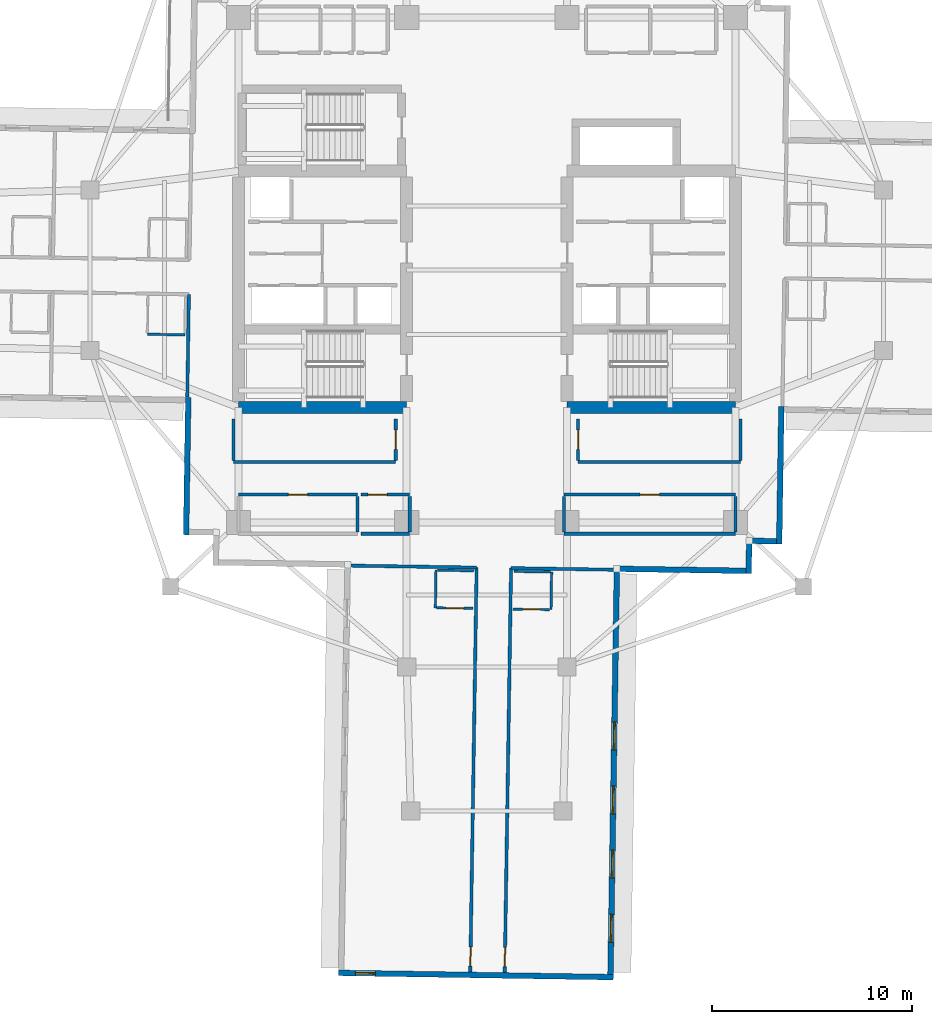
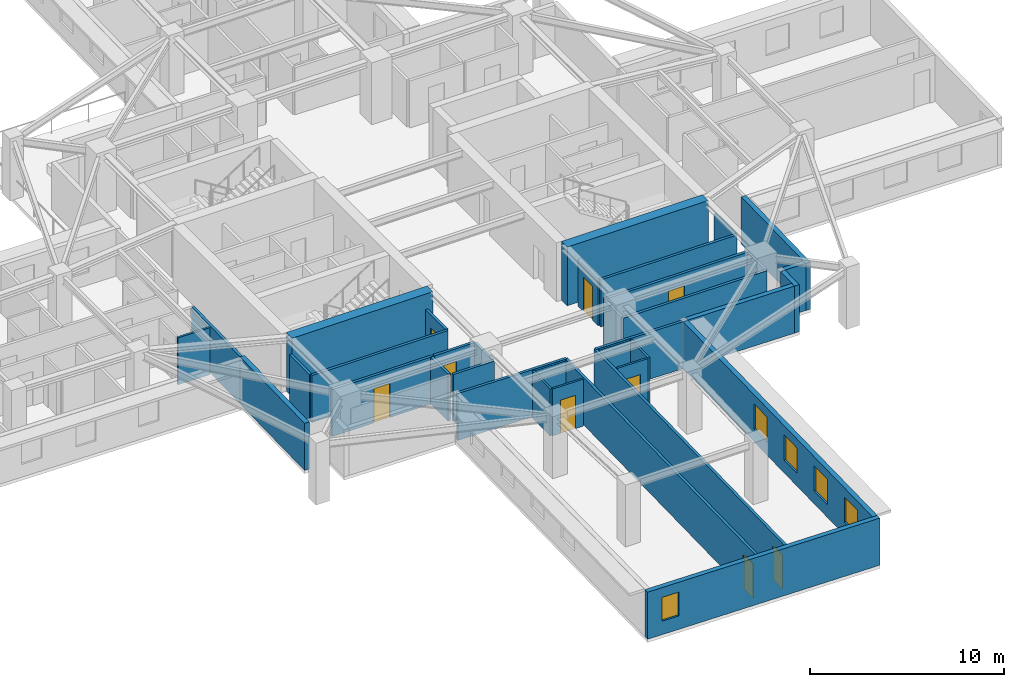
# One storey, part 3 of 13: 36 walls, 9 doors, 5 windows, 14 openings.
"""IFC4 building model written with IfcOpenShell, lengths in metres."""

import ifcopenshell
import ifcopenshell.guid

model = None  # the IFC model being written
_history = None  # IfcOwnerHistory: only IFC2X3 demands one
_inside = {}  # id of a spatial element -> (the spatial element, [elements in it])
_under = {}  # id of a project, library or spatial element -> (it, [spatial elements below it])
_declared = {}  # id of a project -> (the project, [libraries it declares])
_typed = {}  # id of a type object -> (the type object, [elements of that type])
_made_of = {}  # id of a material, layer set ... -> (it, [elements and type objects made of it])


def new_model(schema):
    """Start an empty IFC model of exactly this schema.

    Asked for "IFC4X3", IfcOpenShell would pick the latest addendum, in which some entities
    have other attributes; the version numbers below select the first issue.
    IFC2X3 requires an IfcOwnerHistory on every rooted entity: one is made here for all.
    """
    global model, _history
    if schema == "IFC4X3":
        model = ifcopenshell.file(schema_version=(4, 3, 0, 0))
    else:
        model = ifcopenshell.file(schema=schema)
    _inside.clear()
    _under.clear()
    _declared.clear()
    _typed.clear()
    _made_of.clear()
    _history = None
    if model.schema == "IFC2X3":
        org = make("IfcOrganization", Name="unknown")
        user = make(
            "IfcPersonAndOrganization",
            ThePerson=make("IfcPerson", FamilyName="unknown"),
            TheOrganization=org,
        )
        app = make(
            "IfcApplication",
            ApplicationDeveloper=org,
            Version="unknown",
            ApplicationFullName="unknown",
            ApplicationIdentifier="unknown",
        )
        _history = make(
            "IfcOwnerHistory",
            OwningUser=user,
            OwningApplication=app,
            ChangeAction="ADDED",
            CreationDate=0,
        )
    return model


def make(cls, **values):
    """One entity of the class cls with the attributes given. An attribute that is None is left unset."""
    return model.create_entity(
        cls, **{name: value for name, value in values.items() if value is not None}
    )


def rooted(cls, **values):
    """An entity with a GlobalId (a new one), such as an element, a storey or a relation."""
    return make(cls, GlobalId=ifcopenshell.guid.new(), OwnerHistory=_history, **values)


def si_unit(unit_type, name, prefix=None):
    """IfcSIUnit, for example si_unit("LENGTHUNIT", "METRE", prefix="MILLI")."""
    return make("IfcSIUnit", UnitType=unit_type, Prefix=prefix, Name=name)


def assignment(units):
    """IfcUnitAssignment: the units of a project."""
    return None if units is None else make("IfcUnitAssignment", Units=units)


def point(xyz):
    """IfcCartesianPoint."""
    return None if xyz is None else make("IfcCartesianPoint", Coordinates=xyz)


def direction(xyz):
    """IfcDirection."""
    return None if xyz is None else make("IfcDirection", DirectionRatios=xyz)


def frame(location, z_axis=None, x_axis=None):
    """IfcAxis2Placement3D, a coordinate frame: its origin and axes. An axis left out is left unset."""
    return make(
        "IfcAxis2Placement3D",
        Location=point(location),
        Axis=direction(z_axis),
        RefDirection=direction(x_axis),
    )


def frame_2d(location, x_axis=None):
    """IfcAxis2Placement2D, a coordinate frame in the plane: its origin and x axis."""
    return make(
        "IfcAxis2Placement2D", Location=point(location), RefDirection=direction(x_axis)
    )


def origin():
    """The frame at (0, 0, 0) with its axes left unset."""
    return frame((0.0, 0.0, 0.0))


def place(relative_to, where):
    """IfcLocalPlacement: puts the frame where relative to a parent placement (None: the world)."""
    return make(
        "IfcLocalPlacement", PlacementRelTo=relative_to, RelativePlacement=where
    )


def context(
    kind, dimensions, precision=None, world=None, true_north=None, identifier=None
):
    """IfcGeometricRepresentationContext, for example the 3D "Model" context."""
    return make(
        "IfcGeometricRepresentationContext",
        ContextIdentifier=identifier,
        ContextType=kind,
        CoordinateSpaceDimension=dimensions,
        Precision=precision,
        WorldCoordinateSystem=world,
        TrueNorth=true_north,
    )


def subcontext(parent, identifier, kind, view, scale=None):
    """IfcGeometricRepresentationSubContext, for example "Body" below "Model"."""
    return make(
        "IfcGeometricRepresentationSubContext",
        ContextIdentifier=identifier,
        ContextType=kind,
        ParentContext=parent,
        TargetScale=scale,
        TargetView=view,
    )


def project(units=None, contexts=None):
    """IfcProject with its units and contexts."""
    return rooted(
        "IfcProject",
        Name="project",
        RepresentationContexts=contexts,
        UnitsInContext=assignment(units),
    )


def spatial(cls, under=None, at=None, **own):
    """A site, building, storey or space (cls), placed at a placement, below another one or the project."""
    s = rooted(cls, ObjectPlacement=at, **own)
    if under is not None:
        _under.setdefault(under.id(), (under, []))[1].append(s)
    return s


def profile(cls, at=None, kind="AREA", **sizes):
    """A parametric profile (cls). Its sizes go by their IFC names, for example OverallWidth=200.0."""
    return make(cls, ProfileType=kind, Position=at, **sizes)


def rectangle(**sizes):
    """IfcRectangleProfileDef."""
    return profile("IfcRectangleProfileDef", **sizes)


def extrude(swept, where, along, depth):
    """IfcExtrudedAreaSolid: the profile swept, set in the frame where, extruded along a direction by depth."""
    return make(
        "IfcExtrudedAreaSolid",
        SweptArea=swept,
        Position=where,
        ExtrudedDirection=direction(along),
        Depth=depth,
    )


def shape(context_of_items, identifier, shape_type, items):
    """IfcShapeRepresentation: the items that make up one representation, for example the "Body"."""
    return make(
        "IfcShapeRepresentation",
        ContextOfItems=context_of_items,
        RepresentationIdentifier=identifier,
        RepresentationType=shape_type,
        Items=items,
    )


def material(Name=None, Category=None):
    """IfcMaterial."""
    return make("IfcMaterial", Name=Name, Category=Category)


def layer(
    of_material, thickness, ventilated=None, Name=None, Category=None, Priority=None
):
    """IfcMaterialLayer: one layer of a wall or slab, of a material (None: an air gap)."""
    return make(
        "IfcMaterialLayer",
        Material=of_material,
        LayerThickness=thickness,
        IsVentilated=ventilated,
        Name=Name,
        Category=Category,
        Priority=Priority,
    )


def layer_set(layers, Name=None):
    """IfcMaterialLayerSet."""
    return make("IfcMaterialLayerSet", MaterialLayers=layers, LayerSetName=Name)


def made_of(thing, what):
    """Note that an element or type object is made of a material, layer set ...; save() writes the relation."""
    if what is not None:
        _made_of.setdefault(what.id(), (what, []))[1].append(thing)
    return thing


def type_object(cls, material=None, **own):
    """A type object (cls), such as IfcWallType, which elements share."""
    return made_of(rooted(cls, **own), material)


def element(
    cls,
    number,
    at=None,
    inside=None,
    cuts=None,
    type_object=None,
    material=None,
    context=None,
    identifier="Body",
    shape_type=None,
    held_by="IfcProductDefinitionShape",
    body=None,
    shapes=None,
    **own,
):
    """One element of the class cls, such as IfcWall. Its Tag is "e" and its number.

    at: its placement. inside: the storey or other place that contains it. cuts: it is an
    opening in that element (IfcRelVoidsElement). A single representation is given by context,
    identifier, shape_type and body (its items); several are given by shapes. held_by: the class
    of the entity that holds the representations. save() writes the other relations.
    """
    e = rooted(cls, Tag="e%d" % number, ObjectPlacement=at, **own)
    if body is not None:
        shapes = [shape(context, identifier, shape_type, body)]
    if shapes is not None:
        e.Representation = make(held_by, Representations=shapes)
    if inside is not None:
        _inside.setdefault(inside.id(), (inside, []))[1].append(e)
    if cuts is not None:
        rooted(
            "IfcRelVoidsElement", RelatingBuildingElement=cuts, RelatedOpeningElement=e
        )
    if type_object is not None:
        _typed.setdefault(type_object.id(), (type_object, []))[1].append(e)
    return made_of(e, material)


def fill(opening, filler):
    """IfcRelFillsElement: the door or window that sits in an opening."""
    return rooted(
        "IfcRelFillsElement",
        RelatingOpeningElement=opening,
        RelatedBuildingElement=filler,
    )


def aggregate(whole, parts):
    """IfcRelAggregates: a whole, such as a stair, and the parts it consists of."""
    return rooted("IfcRelAggregates", RelatingObject=whole, RelatedObjects=parts)


def save(model, path):
    """Write the relations noted so far, then the file.

    IfcRelAggregates (storeys below a building ...), IfcRelContainedInSpatialStructure (elements
    in a storey), IfcRelDefinesByType, IfcRelAssociatesMaterial and IfcRelDeclares: one each for
    every whole, place, type object, material and project.
    """
    for whole, parts in _under.values():
        aggregate(whole, parts)
    for where, things in _inside.values():
        rooted(
            "IfcRelContainedInSpatialStructure",
            RelatedElements=things,
            RelatingStructure=where,
        )
    for kind, things in _typed.values():
        rooted("IfcRelDefinesByType", RelatedObjects=things, RelatingType=kind)
    for what, things in _made_of.values():
        rooted("IfcRelAssociatesMaterial", RelatedObjects=things, RelatingMaterial=what)
    for by, libraries in _declared.values():
        rooted("IfcRelDeclares", RelatingContext=by, RelatedDefinitions=libraries)
    model.write(path)


model = new_model("IFC4")

# Units and contexts
model_context = context("Model", 3, precision=1e-05, world=origin(), true_north=direction((0.0, 1.0)))
body_context = subcontext(model_context, "Body", "Model", "MODEL_VIEW")
ifc_project = project(units=[si_unit("LENGTHUNIT", "METRE"), si_unit("AREAUNIT", "SQUARE_METRE"), si_unit("VOLUMEUNIT", "CUBIC_METRE"), si_unit("PLANEANGLEUNIT", "RADIAN"), si_unit("MASSUNIT", "GRAM", prefix="KILO")], contexts=[model_context])

# Site, building, storey
site_placement = place(None, origin())
site = spatial("IfcSite", under=ifc_project, at=site_placement, CompositionType="ELEMENT")
building_placement = place(site_placement, origin())
building = spatial("IfcBuilding", under=site, at=building_placement, Name="Qingluan Cross Belvedere", CompositionType="ELEMENT")
storey_placement = place(building_placement, frame((0.0, 0.0, 148.800048828125)))
storey = spatial("IfcBuildingStorey", under=building, at=storey_placement, Name="L37", CompositionType="ELEMENT", Elevation=148.800048828125)

# Walls
ifc_material_1 = material(Name="Concrete C60", Category="concrete")
ifc_layer_1 = layer(ifc_material_1, 0.60009765625, Name="CoreShearWall_600")
ifc_layer_set_1 = layer_set([ifc_layer_1], Name="Concrete C60")
wall_type_1 = type_object("IfcWallType", Name="CoreShearWall_600", PredefinedType="SHEAR", material=ifc_layer_set_1)
for number, where, z_axis, x_axis, name in (
    (1, (-12.39990234375, -6.85009765625, 0.0), (0.0, 0.0, 1.0), (1.0, 0.0, 0.0), "Split core W shear wall L37-S"),
    (2, (4.0, -6.85009765625, 0.0), (0.0, 0.0, 1.0), (1.0, 0.0, 0.0), "Split core E shear wall L37-S"),
):
    element("IfcWall", number, at=place(storey_placement, frame(where, z_axis=z_axis, x_axis=x_axis)), inside=storey, type_object=wall_type_1, Name=name, PredefinedType="SHEAR", context=body_context, shape_type="SweptSolid", body=[
        extrude(rectangle(XDim=8.39990234375, YDim=0.60009765625, at=frame_2d((4.199951171875, 0.0))), origin(), (0.0, 0.0, 1.0), 3.699951171875),
    ])

# Wall, opening, door
ifc_material_2 = material(Name="Gypsum plasterboard on steel stud acoustic partition", Category="steel")
ifc_layer_2 = layer(ifc_material_2, 0.159912109375, Name="CorridorPartition_160")
ifc_layer_set_2 = layer_set([ifc_layer_2], Name="Gypsum plasterboard on steel stud acoustic partition")
wall_type_2 = type_object("IfcWallType", Name="CorridorPartition_160", PredefinedType="PARTITIONING", material=ifc_layer_set_2)
wall_1_placement = place(storey_placement, frame((-12.39990234375, -11.199951171875, 0.0), z_axis=(0.0, 0.0, 1.0), x_axis=(1.0, 0.0, 0.0)))
wall_1 = element("IfcWall", 3, at=wall_1_placement, inside=storey, type_object=wall_type_2, Name="Partition L37:q_sw1:N", PredefinedType="PARTITIONING", context=body_context, shape_type="SweptSolid", body=[
    extrude(rectangle(XDim=5.949951171875, YDim=0.159912109375, at=frame_2d((2.97509765625, 0.0))), origin(), (0.0, 0.0, 1.0), 2.9599609375),
])
opening_1_placement = place(wall_1_placement, frame((2.4951171875, 0.0, 0.0)))
opening_1 = element("IfcOpeningElement", 4, at=opening_1_placement, cuts=wall_1, Name="Opening GD-10", PredefinedType="OPENING", context=body_context, shape_type="SweptSolid", body=[
    extrude(rectangle(XDim=0.9599609375, YDim=2.14990234375, at=frame_2d((0.47998046875, 1.074951171875))), frame((0.0, 0.08984375, 0.0), z_axis=(0.0, -1.0, 0.0), x_axis=(1.0, 0.0, 0.0)), (0.0, 0.0, 1.0), 0.179931640625),
])
ifc_material_3 = material(Name="Timber oak fire-rated acoustic guestroom door", Category="wood")
door_type_1 = type_object("IfcDoorType", Name="GuestEntryDoor_FD60", OperationType="NOTDEFINED", PredefinedType="DOOR", material=ifc_material_3)
door_1_placement = place(opening_1_placement, origin())
door_1 = element("IfcDoor", 5, at=door_1_placement, inside=storey, type_object=door_type_1, Name="Quiet coworking office L37 door", OperationType="SINGLE_SWING_LEFT", OverallHeight=2.14990234375, OverallWidth=0.9599609375, PredefinedType="DOOR", context=body_context, shape_type="SweptSolid", body=[
    extrude(rectangle(XDim=0.9599609375, YDim=2.14990234375, at=frame_2d((0.47998046875, 1.074951171875))), frame((0.0, 0.02490234375, 0.0), z_axis=(0.0, -1.0, 0.0), x_axis=(1.0, 0.0, 0.0)), (0.0, 0.0, 1.0), 0.050048828125),
])
fill(opening_1, door_1)

# Walls
wall_2_placement = place(storey_placement, frame((-6.449951171875, -13.06494140625, 0.0), z_axis=(0.0, 0.0, 1.0), x_axis=(0.0, 1.0, 0.0)))
element("IfcWall", 6, at=wall_2_placement, inside=storey, type_object=wall_type_2, Name="Partition L37:q_sw1:E", PredefinedType="PARTITIONING", context=body_context, shape_type="SweptSolid", body=[
    extrude(rectangle(XDim=1.780029296875, YDim=0.159912109375, at=frame_2d((0.89013671875, 0.0))), origin(), (0.0, 0.0, 1.0), 2.9599609375),
])
wall_3_placement = place(storey_placement, frame((-6.2900390625, -13.14990234375, 0.0), z_axis=(0.0, 0.0, 1.0), x_axis=(1.0, 0.0, 0.0)))
element("IfcWall", 7, at=wall_3_placement, inside=storey, type_object=wall_type_2, Name="Partition L37:q_sw2:S", PredefinedType="PARTITIONING", context=body_context, shape_type="SweptSolid", body=[
    extrude(rectangle(XDim=2.43994140625, YDim=0.159912109375, at=frame_2d((1.219970703125, 0.0))), origin(), (0.0, 0.0, 1.0), 2.9599609375),
])

# Wall, opening, door
wall_4_placement = place(storey_placement, frame((-6.2900390625, -11.199951171875, 0.0), z_axis=(0.0, 0.0, 1.0), x_axis=(1.0, 0.0, 0.0)))
wall_4 = element("IfcWall", 8, at=wall_4_placement, inside=storey, type_object=wall_type_2, Name="Partition L37:q_sw2:N", PredefinedType="PARTITIONING", context=body_context, shape_type="SweptSolid", body=[
    extrude(rectangle(XDim=2.43994140625, YDim=0.159912109375, at=frame_2d((1.219970703125, 0.0))), origin(), (0.0, 0.0, 1.0), 2.9599609375),
])
opening_2_placement = place(wall_4_placement, frame((0.35009765625, 0.0, 0.0)))
opening_2 = element("IfcOpeningElement", 9, at=opening_2_placement, cuts=wall_4, Name="Opening GD-10", PredefinedType="OPENING", context=body_context, shape_type="SweptSolid", body=[
    extrude(rectangle(XDim=0.9599609375, YDim=2.14990234375, at=frame_2d((0.47998046875, 1.074951171875))), frame((0.0, 0.08984375, 0.0), z_axis=(0.0, -1.0, 0.0), x_axis=(1.0, 0.0, 0.0)), (0.0, 0.0, 1.0), 0.179931640625),
])
door_2_placement = place(opening_2_placement, origin())
door_2 = element("IfcDoor", 10, at=door_2_placement, inside=storey, type_object=door_type_1, Name="Southwest reading room L37 door", OperationType="SINGLE_SWING_RIGHT", OverallHeight=2.14990234375, OverallWidth=0.9599609375, PredefinedType="DOOR", context=body_context, shape_type="SweptSolid", body=[
    extrude(rectangle(XDim=0.9599609375, YDim=2.14990234375, at=frame_2d((0.47998046875, 1.074951171875))), frame((0.0, 0.02490234375, 0.0), z_axis=(0.0, -1.0, 0.0), x_axis=(1.0, 0.0, 0.0)), (0.0, 0.0, 1.0), 0.050048828125),
])
fill(opening_2, door_2)

# Walls
wall_5_placement = place(storey_placement, frame((-3.85009765625, -13.06494140625, 0.0), z_axis=(0.0, 0.0, 1.0), x_axis=(0.0, 1.0, 0.0)))
element("IfcWall", 11, at=wall_5_placement, inside=storey, type_object=wall_type_2, Name="Partition L37:q_sw2:E", PredefinedType="PARTITIONING", context=body_context, shape_type="SweptSolid", body=[
    extrude(rectangle(XDim=1.780029296875, YDim=0.159912109375, at=frame_2d((0.89013671875, 0.0))), origin(), (0.0, 0.0, 1.0), 2.9599609375),
])
wall_6_placement = place(storey_placement, frame((3.85009765625, -13.14990234375, 0.0), z_axis=(0.0, 0.0, 1.0), x_axis=(1.0, 0.0, 0.0)))
element("IfcWall", 12, at=wall_6_placement, inside=storey, type_object=wall_type_2, Name="Partition L37:q_se:S", PredefinedType="PARTITIONING", context=body_context, shape_type="SweptSolid", body=[
    extrude(rectangle(XDim=8.5498046875, YDim=0.159912109375, at=frame_2d((4.27490234375, 0.0))), origin(), (0.0, 0.0, 1.0), 2.9599609375),
])

# Wall, opening, door
wall_7_placement = place(storey_placement, frame((3.85009765625, -11.199951171875, 0.0), z_axis=(0.0, 0.0, 1.0), x_axis=(1.0, 0.0, 0.0)))
wall_7 = element("IfcWall", 13, at=wall_7_placement, inside=storey, type_object=wall_type_2, Name="Partition L37:q_se:N", PredefinedType="PARTITIONING", context=body_context, shape_type="SweptSolid", body=[
    extrude(rectangle(XDim=8.5498046875, YDim=0.159912109375, at=frame_2d((4.27490234375, 0.0))), origin(), (0.0, 0.0, 1.0), 2.9599609375),
])
opening_3_placement = place(wall_7_placement, frame((3.794921875, 0.0, 0.0)))
opening_3 = element("IfcOpeningElement", 14, at=opening_3_placement, cuts=wall_7, Name="Opening GD-10", PredefinedType="OPENING", context=body_context, shape_type="SweptSolid", body=[
    extrude(rectangle(XDim=0.9599609375, YDim=2.14990234375, at=frame_2d((0.47998046875, 1.074951171875))), frame((0.0, 0.08984375, 0.0), z_axis=(0.0, -1.0, 0.0), x_axis=(1.0, 0.0, 0.0)), (0.0, 0.0, 1.0), 0.179931640625),
])
door_3_placement = place(opening_3_placement, origin())
door_3 = element("IfcDoor", 15, at=door_3_placement, inside=storey, type_object=door_type_1, Name="Espresso servery pantry L37 door", OperationType="SINGLE_SWING_LEFT", OverallHeight=2.14990234375, OverallWidth=0.9599609375, PredefinedType="DOOR", context=body_context, shape_type="SweptSolid", body=[
    extrude(rectangle(XDim=0.9599609375, YDim=2.14990234375, at=frame_2d((0.47998046875, 1.074951171875))), frame((0.0, 0.02490234375, 0.0), z_axis=(0.0, -1.0, 0.0), x_axis=(1.0, 0.0, 0.0)), (0.0, 0.0, 1.0), 0.050048828125),
])
fill(opening_3, door_3)

# Walls
for number, where, z_axis, x_axis, name in (
    (16, (3.85009765625, -13.06494140625, 0.0), (0.0, 0.0, 1.0), (0.0, 1.0, 0.0), "Partition L37:q_se:W"),
    (17, (12.39990234375, -13.06494140625, 0.0), (0.0, 0.0, 1.0), (0.0, 1.0, 0.0), "Partition L37:q_se:E"),
):
    element("IfcWall", number, at=place(storey_placement, frame(where, z_axis=z_axis, x_axis=x_axis)), inside=storey, type_object=wall_type_2, Name=name, PredefinedType="PARTITIONING", context=body_context, shape_type="SweptSolid", body=[
        extrude(rectangle(XDim=1.780029296875, YDim=0.159912109375, at=frame_2d((0.89013671875, 0.0))), origin(), (0.0, 0.0, 1.0), 2.9599609375),
    ])
wall_8_placement = place(storey_placement, frame((4.550048828125, -9.580078125, 0.0), z_axis=(0.0, 0.0, 1.0), x_axis=(1.0, 0.0, 0.0)))
element("IfcWall", 18, at=wall_8_placement, inside=storey, type_object=wall_type_2, Name="Partition L37:rec_st4:S", PredefinedType="PARTITIONING", context=body_context, shape_type="SweptSolid", body=[
    extrude(rectangle(XDim=8.099853515625, YDim=0.159912109375, at=frame_2d((4.0498046875, 0.0))), origin(), (0.0, 0.0, 1.0), 2.9599609375),
])

# Wall, opening, door
wall_9_placement = place(storey_placement, frame((4.550048828125, -9.4951171875, 0.0), z_axis=(0.0, 0.0, 1.0), x_axis=(0.0, 1.0, 0.0)))
wall_9 = element("IfcWall", 19, at=wall_9_placement, inside=storey, type_object=wall_type_2, Name="Partition L37:rec_st4:W", PredefinedType="PARTITIONING", context=body_context, shape_type="SweptSolid", body=[
    extrude(rectangle(XDim=2.06005859375, YDim=0.159912109375, at=frame_2d((1.030029296875, 0.0))), origin(), (0.0, 0.0, 1.0), 2.9599609375),
])
opening_4_placement = place(wall_9_placement, frame((0.550048828125, 0.0, 0.0)))
opening_4 = element("IfcOpeningElement", 20, at=opening_4_placement, cuts=wall_9, Name="Opening GD-10", PredefinedType="OPENING", context=body_context, shape_type="SweptSolid", body=[
    extrude(rectangle(XDim=0.9599609375, YDim=2.14990234375, at=frame_2d((0.47998046875, 1.074951171875))), frame((0.0, 0.08984375, 0.0), z_axis=(0.0, -1.0, 0.0), x_axis=(1.0, 0.0, 0.0)), (0.0, 0.0, 1.0), 0.179931640625),
])
door_4_placement = place(opening_4_placement, origin())
door_4 = element("IfcDoor", 21, at=door_4_placement, inside=storey, type_object=door_type_1, Name="Southeast club library room L37 door", OperationType="SINGLE_SWING_RIGHT", OverallHeight=2.14990234375, OverallWidth=0.9599609375, PredefinedType="DOOR", context=body_context, shape_type="SweptSolid", body=[
    extrude(rectangle(XDim=0.9599609375, YDim=2.14990234375, at=frame_2d((0.47998046875, 1.074951171875))), frame((0.0, 0.02490234375, 0.0), z_axis=(0.0, -1.0, 0.0), x_axis=(1.0, 0.0, 0.0)), (0.0, 0.0, 1.0), 0.050048828125),
])
fill(opening_4, door_4)

# Walls
wall_10_placement = place(storey_placement, frame((12.64990234375, -9.4951171875, 0.0), z_axis=(0.0, 0.0, 1.0), x_axis=(0.0, 1.0, 0.0)))
element("IfcWall", 22, at=wall_10_placement, inside=storey, type_object=wall_type_2, Name="Partition L37:rec_st4:E", PredefinedType="PARTITIONING", context=body_context, shape_type="SweptSolid", body=[
    extrude(rectangle(XDim=2.06005859375, YDim=0.159912109375, at=frame_2d((1.030029296875, 0.0))), origin(), (0.0, 0.0, 1.0), 2.9599609375),
])
wall_11_placement = place(storey_placement, frame((-12.64990234375, -9.580078125, 0.0), z_axis=(0.0, 0.0, 1.0), x_axis=(1.0, 0.0, 0.0)))
element("IfcWall", 23, at=wall_11_placement, inside=storey, type_object=wall_type_2, Name="Partition L37:rec_st4_w:S", PredefinedType="PARTITIONING", context=body_context, shape_type="SweptSolid", body=[
    extrude(rectangle(XDim=8.099853515625, YDim=0.159912109375, at=frame_2d((4.0498046875, 0.0))), origin(), (0.0, 0.0, 1.0), 2.9599609375),
])
wall_12_placement = place(storey_placement, frame((-12.64990234375, -9.4951171875, 0.0), z_axis=(0.0, 0.0, 1.0), x_axis=(0.0, 1.0, 0.0)))
element("IfcWall", 24, at=wall_12_placement, inside=storey, type_object=wall_type_2, Name="Partition L37:rec_st4_w:W", PredefinedType="PARTITIONING", context=body_context, shape_type="SweptSolid", body=[
    extrude(rectangle(XDim=2.06005859375, YDim=0.159912109375, at=frame_2d((1.030029296875, 0.0))), origin(), (0.0, 0.0, 1.0), 2.9599609375),
])

# Wall, opening, door
wall_13_placement = place(storey_placement, frame((-4.550048828125, -9.4951171875, 0.0), z_axis=(0.0, 0.0, 1.0), x_axis=(0.0, 1.0, 0.0)))
wall_13 = element("IfcWall", 25, at=wall_13_placement, inside=storey, type_object=wall_type_2, Name="Partition L37:rec_st4_w:E", PredefinedType="PARTITIONING", context=body_context, shape_type="SweptSolid", body=[
    extrude(rectangle(XDim=2.06005859375, YDim=0.159912109375, at=frame_2d((1.030029296875, 0.0))), origin(), (0.0, 0.0, 1.0), 2.9599609375),
])
opening_5_placement = place(wall_13_placement, frame((0.550048828125, 0.0, 0.0)))
opening_5 = element("IfcOpeningElement", 26, at=opening_5_placement, cuts=wall_13, Name="Opening GD-10", PredefinedType="OPENING", context=body_context, shape_type="SweptSolid", body=[
    extrude(rectangle(XDim=0.9599609375, YDim=2.14990234375, at=frame_2d((0.47998046875, 1.074951171875))), frame((0.0, 0.08984375, 0.0), z_axis=(0.0, -1.0, 0.0), x_axis=(1.0, 0.0, 0.0)), (0.0, 0.0, 1.0), 0.179931640625),
])
door_5_placement = place(opening_5_placement, origin())
door_5 = element("IfcDoor", 27, at=door_5_placement, inside=storey, type_object=door_type_1, Name="Southwest club reading room L37 door", OperationType="SINGLE_SWING_LEFT", OverallHeight=2.14990234375, OverallWidth=0.9599609375, PredefinedType="DOOR", context=body_context, shape_type="SweptSolid", body=[
    extrude(rectangle(XDim=0.9599609375, YDim=2.14990234375, at=frame_2d((0.47998046875, 1.074951171875))), frame((0.0, 0.02490234375, 0.0), z_axis=(0.0, -1.0, 0.0), x_axis=(1.0, 0.0, 0.0)), (0.0, 0.0, 1.0), 0.050048828125),
])
fill(opening_5, door_5)

# Wall
wall_14_placement = place(storey_placement, frame((-14.870849609375, -1.20654296875, 0.0), z_axis=(0.0, 0.0, 1.0), x_axis=(-0.015698892967, -0.999876764786, 0.0)))
element("IfcWall", 28, at=wall_14_placement, inside=storey, type_object=wall_type_2, Name="Partition L37:W:s1", PredefinedType="PARTITIONING", context=body_context, shape_type="SweptSolid", body=[
    extrude(rectangle(XDim=5.132080078125, YDim=0.159912109375, at=frame_2d((2.56591796875, 0.0))), origin(), (0.0, 0.0, 1.0), 2.9599609375),
])

# Wall, opening, door
wall_15_placement = place(storey_placement, frame((1.20654296875, -14.870849609375, 0.0), z_axis=(0.0, 0.0, 1.0), x_axis=(-0.015713987169, -0.999876527681, 0.0)))
wall_15 = element("IfcWall", 29, at=wall_15_placement, inside=storey, type_object=wall_type_2, Name="Partition L37:S:c0", PredefinedType="PARTITIONING", context=body_context, shape_type="SweptSolid", body=[
    extrude(rectangle(XDim=20.181884765625, YDim=0.159912109375, at=frame_2d((10.0908203125, 0.0))), origin(), (0.0, 0.0, 1.0), 2.9599609375),
])
opening_6_placement = place(wall_15_placement, frame((18.929931640625, 0.0, 0.0)))
opening_6 = element("IfcOpeningElement", 30, at=opening_6_placement, cuts=wall_15, Name="Opening GD-10", PredefinedType="OPENING", context=body_context, shape_type="SweptSolid", body=[
    extrude(rectangle(XDim=0.9599609375, YDim=2.14990234375, at=frame_2d((0.47998046875, 1.074951171875))), frame((0.0, 0.08984375, 0.0), z_axis=(0.0, -1.0, 0.0), x_axis=(1.0, 0.0, 0.0)), (0.0, 0.0, 1.0), 0.179931640625),
])
door_6_placement = place(opening_6_placement, origin())
door_6 = element("IfcDoor", 31, at=door_6_placement, inside=storey, type_object=door_type_1, Name="Guest entry fire door 3713", OperationType="SINGLE_SWING_RIGHT", OverallHeight=2.14990234375, OverallWidth=0.9599609375, PredefinedType="DOOR", context=body_context, shape_type="SweptSolid", body=[
    extrude(rectangle(XDim=0.9599609375, YDim=2.14990234375, at=frame_2d((0.47998046875, 1.074951171875))), frame((0.0, 0.02490234375, 0.0), z_axis=(0.0, -1.0, 0.0), x_axis=(1.0, 0.0, 0.0)), (0.0, 0.0, 1.0), 0.050048828125),
])
fill(opening_6, door_6)

# Wall
wall_16_placement = place(storey_placement, frame((1.20654296875, -14.870849609375, 0.0), z_axis=(0.0, 0.0, 1.0), x_axis=(0.999877138082, -0.015675099418, 0.0)))
element("IfcWall", 32, at=wall_16_placement, inside=storey, type_object=wall_type_2, Name="Partition L37:S:s0", PredefinedType="PARTITIONING", context=body_context, shape_type="SweptSolid", body=[
    extrude(rectangle(XDim=5.280029296875, YDim=0.159912109375, at=frame_2d((2.64013671875, 0.0))), origin(), (0.0, 0.0, 1.0), 2.9599609375),
])

# Wall, opening, door
wall_17_placement = place(storey_placement, frame((-0.51318359375, -14.84375, 0.0), z_axis=(0.0, 0.0, 1.0), x_axis=(-0.015701893165, -0.999876717676, 0.0)))
wall_17 = element("IfcWall", 33, at=wall_17_placement, inside=storey, type_object=wall_type_2, Name="Partition L37:S:c1", PredefinedType="PARTITIONING", context=body_context, shape_type="SweptSolid", body=[
    extrude(rectangle(XDim=20.181884765625, YDim=0.159912109375, at=frame_2d((10.0908203125, 0.0))), origin(), (0.0, 0.0, 1.0), 2.9599609375),
])
opening_7_placement = place(wall_17_placement, frame((18.929931640625, 0.0, 0.0)))
opening_7 = element("IfcOpeningElement", 34, at=opening_7_placement, cuts=wall_17, Name="Opening GD-10", PredefinedType="OPENING", context=body_context, shape_type="SweptSolid", body=[
    extrude(rectangle(XDim=0.9599609375, YDim=2.14990234375, at=frame_2d((0.47998046875, 1.074951171875))), frame((0.0, 0.08984375, 0.0), z_axis=(0.0, -1.0, 0.0), x_axis=(1.0, 0.0, 0.0)), (0.0, 0.0, 1.0), 0.179931640625),
])
door_7_placement = place(opening_7_placement, origin())
door_7 = element("IfcDoor", 35, at=door_7_placement, inside=storey, type_object=door_type_1, Name="Guest entry fire door 3714", OperationType="SINGLE_SWING_RIGHT", OverallHeight=2.14990234375, OverallWidth=0.9599609375, PredefinedType="DOOR", context=body_context, shape_type="SweptSolid", body=[
    extrude(rectangle(XDim=0.9599609375, YDim=2.14990234375, at=frame_2d((0.47998046875, 1.074951171875))), frame((0.0, 0.02490234375, 0.0), z_axis=(0.0, -1.0, 0.0), x_axis=(1.0, 0.0, 0.0)), (0.0, 0.0, 1.0), 0.050048828125),
])
fill(opening_7, door_7)

# Walls
wall_18_placement = place(storey_placement, frame((-0.51318359375, -14.84375, 0.0), z_axis=(0.0, 0.0, 1.0), x_axis=(-0.99987682984, 0.015694749102, 0.0)))
element("IfcWall", 36, at=wall_18_placement, inside=storey, type_object=wall_type_2, Name="Partition L37:S:s1", PredefinedType="PARTITIONING", context=body_context, shape_type="SweptSolid", body=[
    extrude(rectangle(XDim=6.43994140625, YDim=0.159912109375, at=frame_2d((3.219970703125, 0.0))), origin(), (0.0, 0.0, 1.0), 2.9599609375),
])
ifc_material_4 = material(Name="Moisture-resistant gypsum board lining")
ifc_layer_3 = layer(ifc_material_4, 0.1201171875, Name="EnsuiteWetPartition_120")
ifc_layer_set_3 = layer_set([ifc_layer_3], Name="Moisture-resistant gypsum board lining")
wall_type_3 = type_object("IfcWallType", Name="EnsuiteWetPartition_120", PredefinedType="PARTITIONING", material=ifc_layer_set_3)
wall_19_placement = place(storey_placement, frame((-15.0625, -3.228759765625, 0.0), z_axis=(0.0, 0.0, 1.0), x_axis=(-0.999876553475, 0.01571234584, 0.0)))
element("IfcWall", 37, at=wall_19_placement, inside=storey, type_object=wall_type_3, Name="Partition L37:W:bc1_0", PredefinedType="PARTITIONING", context=body_context, shape_type="SweptSolid", body=[
    extrude(rectangle(XDim=1.880126953125, YDim=0.1201171875, at=frame_2d((0.93994140625, 0.0))), origin(), (0.0, 0.0, 1.0), 2.9599609375),
])

# Wall, opening, door
wall_20_placement = place(storey_placement, frame((1.314453125, -16.91259765625, 0.0), z_axis=(0.0, 0.0, 1.0), x_axis=(0.999874722342, -0.015828443418, 0.0)))
wall_20 = element("IfcWall", 38, at=wall_20_placement, inside=storey, type_object=wall_type_3, Name="Partition L37:S:bs0_0", PredefinedType="PARTITIONING", context=body_context, shape_type="SweptSolid", body=[
    extrude(rectangle(XDim=1.820068359375, YDim=0.1201171875, at=frame_2d((0.91015625, 0.0))), origin(), (0.0, 0.0, 1.0), 2.9599609375),
])
opening_8_placement = place(wall_20_placement, frame((0.469970703125, 0.0, 0.0)))
opening_8 = element("IfcOpeningElement", 39, at=opening_8_placement, cuts=wall_20, Name="Opening BD-09", PredefinedType="OPENING", context=body_context, shape_type="SweptSolid", body=[
    extrude(rectangle(XDim=0.8798828125, YDim=2.10009765625, at=frame_2d((0.43994140625, 1.050048828125))), frame((0.0, 0.070068359375, 0.0), z_axis=(0.0, -1.0, 0.0), x_axis=(1.0, 0.0, 0.0)), (0.0, 0.0, 1.0), 0.14013671875),
])
ifc_material_5 = material(Name="Moisture-sealed timber en-suite door", Category="wood")
door_type_2 = type_object("IfcDoorType", Name="BathroomDoor_880", OperationType="NOTDEFINED", PredefinedType="DOOR", material=ifc_material_5)
door_8_placement = place(opening_8_placement, origin())
door_8 = element("IfcDoor", 40, at=door_8_placement, inside=storey, type_object=door_type_2, Name="Bathroom door 3713", OperationType="SINGLE_SWING_LEFT", OverallHeight=2.10009765625, OverallWidth=0.8798828125, PredefinedType="DOOR", context=body_context, shape_type="SweptSolid", body=[
    extrude(rectangle(XDim=0.8798828125, YDim=2.10009765625, at=frame_2d((0.43994140625, 1.050048828125))), frame((0.0, 0.02490234375, 0.0), z_axis=(0.0, -1.0, 0.0), x_axis=(1.0, 0.0, 0.0)), (0.0, 0.0, 1.0), 0.050048828125),
])
fill(opening_8, door_8)

# Walls
wall_21_placement = place(storey_placement, frame((1.343994140625, -15.032958984375, 0.0), z_axis=(0.0, 0.0, 1.0), x_axis=(0.999876836305, -0.015694337248, 0.0)))
element("IfcWall", 41, at=wall_21_placement, inside=storey, type_object=wall_type_3, Name="Partition L37:S:bw0_0", PredefinedType="PARTITIONING", context=body_context, shape_type="SweptSolid", body=[
    extrude(rectangle(XDim=1.820068359375, YDim=0.1201171875, at=frame_2d((0.91015625, 0.0))), origin(), (0.0, 0.0, 1.0), 2.9599609375),
])
wall_22_placement = place(storey_placement, frame((3.228759765625, -15.0625, 0.0), z_axis=(0.0, 0.0, 1.0), x_axis=(-0.01571234584, -0.999876553475, 0.0)))
element("IfcWall", 42, at=wall_22_placement, inside=storey, type_object=wall_type_3, Name="Partition L37:S:bn0_0", PredefinedType="PARTITIONING", context=body_context, shape_type="SweptSolid", body=[
    extrude(rectangle(XDim=1.880126953125, YDim=0.1201171875, at=frame_2d((0.93994140625, 0.0))), origin(), (0.0, 0.0, 1.0), 2.9599609375),
])

# Wall, opening, door
wall_23_placement = place(storey_placement, frame((-2.5048828125, -16.852783203125, 0.0), z_axis=(0.0, 0.0, 1.0), x_axis=(0.999876803258, -0.015696442504, 0.0)))
wall_23 = element("IfcWall", 43, at=wall_23_placement, inside=storey, type_object=wall_type_3, Name="Partition L37:S:bs1_0", PredefinedType="PARTITIONING", context=body_context, shape_type="SweptSolid", body=[
    extrude(rectangle(XDim=1.81982421875, YDim=0.1201171875, at=frame_2d((0.909912109375, 0.0))), origin(), (0.0, 0.0, 1.0), 2.9599609375),
])
opening_9_placement = place(wall_23_placement, frame((0.469970703125, 0.0, 0.0)))
opening_9 = element("IfcOpeningElement", 44, at=opening_9_placement, cuts=wall_23, Name="Opening BD-09", PredefinedType="OPENING", context=body_context, shape_type="SweptSolid", body=[
    extrude(rectangle(XDim=0.8798828125, YDim=2.10009765625, at=frame_2d((0.43994140625, 1.050048828125))), frame((0.0, 0.070068359375, 0.0), z_axis=(0.0, -1.0, 0.0), x_axis=(1.0, 0.0, 0.0)), (0.0, 0.0, 1.0), 0.14013671875),
])
door_9_placement = place(opening_9_placement, origin())
door_9 = element("IfcDoor", 45, at=door_9_placement, inside=storey, type_object=door_type_2, Name="Bathroom door 3714", OperationType="SINGLE_SWING_LEFT", OverallHeight=2.10009765625, OverallWidth=0.8798828125, PredefinedType="DOOR", context=body_context, shape_type="SweptSolid", body=[
    extrude(rectangle(XDim=0.8798828125, YDim=2.10009765625, at=frame_2d((0.43994140625, 1.050048828125))), frame((0.0, 0.02490234375, 0.0), z_axis=(0.0, -1.0, 0.0), x_axis=(1.0, 0.0, 0.0)), (0.0, 0.0, 1.0), 0.050048828125),
])
fill(opening_9, door_9)

# Walls
wall_24_placement = place(storey_placement, frame((-2.4755859375, -14.972900390625, 0.0), z_axis=(0.0, 0.0, 1.0), x_axis=(0.999874722342, -0.015828443418, 0.0)))
element("IfcWall", 46, at=wall_24_placement, inside=storey, type_object=wall_type_3, Name="Partition L37:S:bw1_0", PredefinedType="PARTITIONING", context=body_context, shape_type="SweptSolid", body=[
    extrude(rectangle(XDim=1.820068359375, YDim=0.1201171875, at=frame_2d((0.91015625, 0.0))), origin(), (0.0, 0.0, 1.0), 2.9599609375),
])
wall_25_placement = place(storey_placement, frame((-2.54052734375, -14.971923828125, 0.0), z_axis=(0.0, 0.0, 1.0), x_axis=(-0.01571234584, -0.999876553475, 0.0)))
element("IfcWall", 47, at=wall_25_placement, inside=storey, type_object=wall_type_3, Name="Partition L37:S:bc1_0", PredefinedType="PARTITIONING", context=body_context, shape_type="SweptSolid", body=[
    extrude(rectangle(XDim=1.880126953125, YDim=0.1201171875, at=frame_2d((0.93994140625, 0.0))), origin(), (0.0, 0.0, 1.0), 2.9599609375),
])

# Wall, openings, windows
ifc_material_6 = material(Name="Precast concrete C45", Category="concrete")
ifc_layer_4 = layer(ifc_material_6, 0.280029296875, Name="PrecastFacadeWall_280")
ifc_layer_set_4 = layer_set([ifc_layer_4], Name="Precast concrete C45")
wall_type_4 = type_object("IfcWallType", Name="PrecastFacadeWall_280", PredefinedType="STANDARD", material=ifc_layer_set_4)
wall_26_placement = place(storey_placement, frame((6.168701171875, -35.14111328125, 0.0), z_axis=(0.0, 0.0, 1.0), x_axis=(0.01571739401, 0.999876474133, 0.0)))
wall_26 = element("IfcWall", 48, at=wall_26_placement, inside=storey, type_object=wall_type_4, Name="Facade wall L37-SB", PredefinedType="STANDARD", context=body_context, shape_type="SweptSolid", body=[
    extrude(rectangle(XDim=20.099853515625, YDim=0.280029296875, at=frame_2d((10.0498046875, 0.0))), origin(), (0.0, 0.0, 1.0), 2.969970703125),
])
opening_10_placement = place(wall_26_placement, frame((1.60009765625, 0.0, 0.800048828125)))
opening_10 = element("IfcOpeningElement", 49, at=opening_10_placement, cuts=wall_26, Name="Opening W-01", PredefinedType="OPENING", context=body_context, shape_type="SweptSolid", body=[
    extrude(rectangle(XDim=1.39990234375, YDim=1.60009765625, at=frame_2d((0.699951171875, 0.800048828125))), frame((0.0, 0.14990234375, 0.0), z_axis=(0.0, -1.0, 0.0), x_axis=(1.0, 0.0, 0.0)), (0.0, 0.0, 1.0), 0.300048828125),
])
opening_11_placement = place(wall_26_placement, frame((4.800048828125, 0.0, 0.800048828125)))
opening_11 = element("IfcOpeningElement", 50, at=opening_11_placement, cuts=wall_26, Name="Opening W-01", PredefinedType="OPENING", context=body_context, shape_type="SweptSolid", body=[
    extrude(rectangle(XDim=1.39990234375, YDim=1.60009765625, at=frame_2d((0.699951171875, 0.800048828125))), frame((0.0, 0.14990234375, 0.0), z_axis=(0.0, -1.0, 0.0), x_axis=(1.0, 0.0, 0.0)), (0.0, 0.0, 1.0), 0.300048828125),
])
opening_12_placement = place(wall_26_placement, frame((8.0, 0.0, 0.800048828125)))
opening_12 = element("IfcOpeningElement", 51, at=opening_12_placement, cuts=wall_26, Name="Opening W-01", PredefinedType="OPENING", context=body_context, shape_type="SweptSolid", body=[
    extrude(rectangle(XDim=1.39990234375, YDim=1.60009765625, at=frame_2d((0.699951171875, 0.800048828125))), frame((0.0, 0.14990234375, 0.0), z_axis=(0.0, -1.0, 0.0), x_axis=(1.0, 0.0, 0.0)), (0.0, 0.0, 1.0), 0.300048828125),
])
opening_13_placement = place(wall_26_placement, frame((11.199951171875, 0.0, 0.800048828125)))
opening_13 = element("IfcOpeningElement", 52, at=opening_13_placement, cuts=wall_26, Name="Opening W-01", PredefinedType="OPENING", context=body_context, shape_type="SweptSolid", body=[
    extrude(rectangle(XDim=1.39990234375, YDim=1.60009765625, at=frame_2d((0.699951171875, 0.800048828125))), frame((0.0, 0.14990234375, 0.0), z_axis=(0.0, -1.0, 0.0), x_axis=(1.0, 0.0, 0.0)), (0.0, 0.0, 1.0), 0.300048828125),
])
ifc_material_7 = material(Name="Thermally broken triple Low-E glass in aluminium frame", Category="aluminium")
window_type_1 = type_object("IfcWindowType", Name="TriRibbonWin_1400x1600", PartitioningType="SINGLE_PANEL", PredefinedType="WINDOW", material=ifc_material_7)
window_1_placement = place(opening_10_placement, origin())
window_1 = element("IfcWindow", 53, at=window_1_placement, inside=storey, type_object=window_type_1, Name="Ribbon window L37-SB-1", OverallHeight=1.60009765625, OverallWidth=1.39990234375, PartitioningType="SINGLE_PANEL", PredefinedType="WINDOW", context=body_context, shape_type="SweptSolid", body=[
    extrude(rectangle(XDim=1.39990234375, YDim=1.60009765625, at=frame_2d((0.699951171875, 0.800048828125))), frame((0.0, 0.030029296875, 0.0), z_axis=(0.0, -1.0, 0.0), x_axis=(1.0, 0.0, 0.0)), (0.0, 0.0, 1.0), 0.06005859375),
])
fill(opening_10, window_1)
window_2_placement = place(opening_11_placement, origin())
window_2 = element("IfcWindow", 54, at=window_2_placement, inside=storey, type_object=window_type_1, Name="Ribbon window L37-SB-2", OverallHeight=1.60009765625, OverallWidth=1.39990234375, PartitioningType="SINGLE_PANEL", PredefinedType="WINDOW", context=body_context, shape_type="SweptSolid", body=[
    extrude(rectangle(XDim=1.39990234375, YDim=1.60009765625, at=frame_2d((0.699951171875, 0.800048828125))), frame((0.0, 0.030029296875, 0.0), z_axis=(0.0, -1.0, 0.0), x_axis=(1.0, 0.0, 0.0)), (0.0, 0.0, 1.0), 0.06005859375),
])
fill(opening_11, window_2)
window_3_placement = place(opening_12_placement, origin())
window_3 = element("IfcWindow", 55, at=window_3_placement, inside=storey, type_object=window_type_1, Name="Ribbon window L37-SB-3", OverallHeight=1.60009765625, OverallWidth=1.39990234375, PartitioningType="SINGLE_PANEL", PredefinedType="WINDOW", context=body_context, shape_type="SweptSolid", body=[
    extrude(rectangle(XDim=1.39990234375, YDim=1.60009765625, at=frame_2d((0.699951171875, 0.800048828125))), frame((0.0, 0.030029296875, 0.0), z_axis=(0.0, -1.0, 0.0), x_axis=(1.0, 0.0, 0.0)), (0.0, 0.0, 1.0), 0.06005859375),
])
fill(opening_12, window_3)
window_4_placement = place(opening_13_placement, origin())
window_4 = element("IfcWindow", 56, at=window_4_placement, inside=storey, type_object=window_type_1, Name="Ribbon window L37-SB-4", OverallHeight=1.60009765625, OverallWidth=1.39990234375, PartitioningType="SINGLE_PANEL", PredefinedType="WINDOW", context=body_context, shape_type="SweptSolid", body=[
    extrude(rectangle(XDim=1.39990234375, YDim=1.60009765625, at=frame_2d((0.699951171875, 0.800048828125))), frame((0.0, 0.030029296875, 0.0), z_axis=(0.0, -1.0, 0.0), x_axis=(1.0, 0.0, 0.0)), (0.0, 0.0, 1.0), 0.06005859375),
])
fill(opening_13, window_4)

# Wall, opening, window
wall_27_placement = place(storey_placement, frame((-7.41162109375, -35.06787109375, 0.0), z_axis=(0.0, 0.0, 1.0), x_axis=(0.999876549481, -0.015712599986, 0.0)))
wall_27 = element("IfcWall", 57, at=wall_27_placement, inside=storey, type_object=wall_type_4, Name="Arm tip precast facade wall L37-S", PredefinedType="STANDARD", context=body_context, shape_type="SweptSolid", body=[
    extrude(rectangle(XDim=13.719970703125, YDim=0.280029296875, at=frame_2d((6.85986328125, 0.0))), origin(), (0.0, 0.0, 1.0), 2.969970703125),
])
opening_14_placement = place(wall_27_placement, frame((0.85009765625, 0.0, 0.85009765625)))
opening_14 = element("IfcOpeningElement", 58, at=opening_14_placement, cuts=wall_27, Name="Opening W-03", PredefinedType="OPENING", context=body_context, shape_type="SweptSolid", body=[
    extrude(rectangle(XDim=1.0, YDim=1.5, at=frame_2d((0.5, 0.75))), frame((0.0, 0.14990234375, 0.0), z_axis=(0.0, -1.0, 0.0), x_axis=(1.0, 0.0, 0.0)), (0.0, 0.0, 1.0), 0.300048828125),
])
ifc_material_8 = material(Name="Thermally broken triple Low-E glass in aluminium frame", Category="aluminium")
window_type_2 = type_object("IfcWindowType", Name="TriApexWin_1000x1500", PartitioningType="SINGLE_PANEL", PredefinedType="WINDOW", material=ifc_material_8)
window_5_placement = place(opening_14_placement, origin())
window_5 = element("IfcWindow", 59, at=window_5_placement, inside=storey, type_object=window_type_2, Name="Arm tip triangular window L37-S", OverallHeight=1.5, OverallWidth=1.0, PartitioningType="SINGLE_PANEL", PredefinedType="WINDOW", context=body_context, shape_type="SweptSolid", body=[
    extrude(rectangle(XDim=1.0, YDim=1.5, at=frame_2d((0.5, 0.75))), frame((0.0, 0.030029296875, 0.0), z_axis=(0.0, -1.0, 0.0), x_axis=(1.0, 0.0, 0.0)), (0.0, 0.0, 1.0), 0.06005859375),
])
fill(opening_14, window_5)

# Walls
for number, where, z_axis, x_axis, name in (
    (60, (-14.901611328125, -6.3466796875, 0.0), (0.0, 0.0, 1.0), (-0.015694809807, -0.999876828887, 0.0), "Corner wall L37-SW1"),
    (61, (14.69482421875, -6.811767578125, 0.0), (0.0, 0.0, 1.0), (-0.015694809807, -0.999876828887, 0.0), "Corner wall L37-SE1"),
):
    element("IfcWall", number, at=place(storey_placement, frame(where, z_axis=z_axis, x_axis=x_axis)), inside=storey, type_object=wall_type_4, Name=name, PredefinedType="STANDARD", context=body_context, shape_type="SweptSolid", body=[
        extrude(rectangle(XDim=6.85986328125, YDim=0.280029296875, at=frame_2d((3.429931640625, 0.0))), origin(), (0.0, 0.0, 1.0), 2.969970703125),
    ])
wall_28_placement = place(storey_placement, frame((14.44921875, -13.528564453125, 0.0), z_axis=(0.0, 0.0, 1.0), x_axis=(-0.999878147354, 0.015610587569, 0.0)))
element("IfcWall", 62, at=wall_28_placement, inside=storey, type_object=wall_type_4, Name="Corner wall L37-SE2", PredefinedType="STANDARD", context=body_context, shape_type="SweptSolid", body=[
    extrude(rectangle(XDim=1.219970703125, YDim=0.280029296875, at=frame_2d((0.60986328125, 0.0))), origin(), (0.0, 0.0, 1.0), 2.969970703125),
])
wall_29_placement = place(storey_placement, frame((13.08740234375, -13.647216796875, 0.0), z_axis=(0.0, 0.0, 1.0), x_axis=(-0.015785793208, -0.999875396603, 0.0)))
element("IfcWall", 63, at=wall_29_placement, inside=storey, type_object=wall_type_4, Name="Corner wall L37-SE3", PredefinedType="STANDARD", context=body_context, shape_type="SweptSolid", body=[
    extrude(rectangle(XDim=1.500244140625, YDim=0.280029296875, at=frame_2d((0.75, 0.0))), origin(), (0.0, 0.0, 1.0), 2.969970703125),
])
wall_30_placement = place(storey_placement, frame((12.92578125, -15.0048828125, 0.0), z_axis=(0.0, 0.0, 1.0), x_axis=(-0.999876823822, 0.015695132501, 0.0)))
element("IfcWall", 64, at=wall_30_placement, inside=storey, type_object=wall_type_4, Name="Corner wall L37-SE4", PredefinedType="STANDARD", context=body_context, shape_type="SweptSolid", body=[
    extrude(rectangle(XDim=6.2998046875, YDim=0.280029296875, at=frame_2d((3.14990234375, 0.0))), origin(), (0.0, 0.0, 1.0), 2.969970703125),
])

save(model, "model.ifc")
